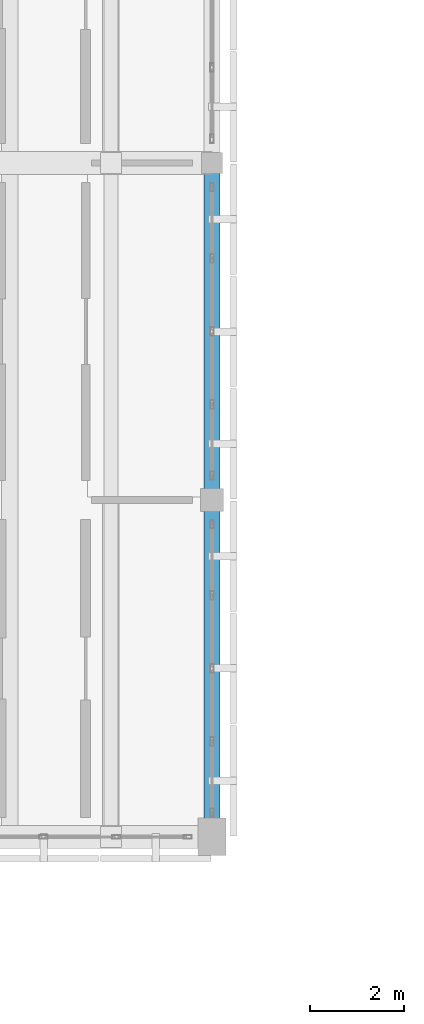
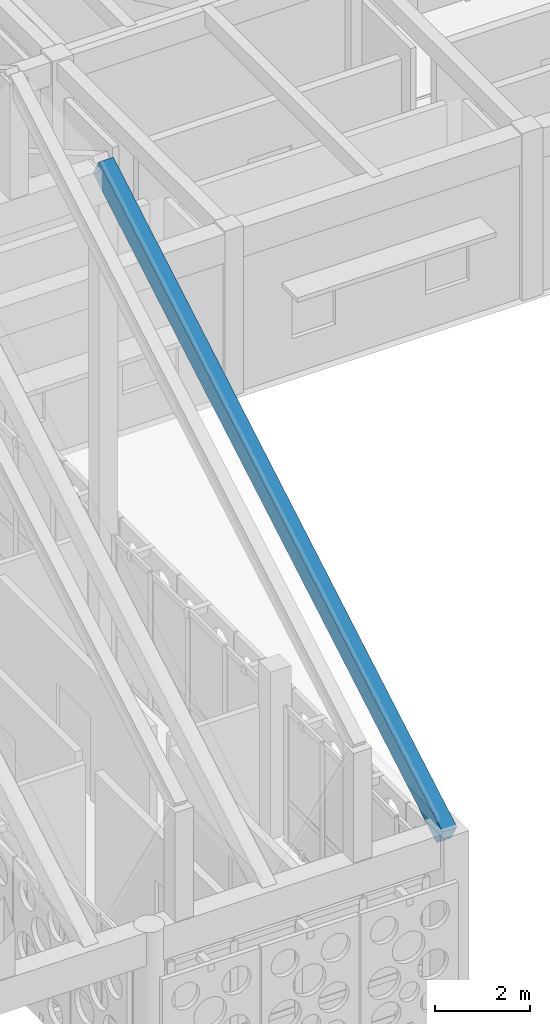
# One storey, part 42 of 171: 1 beam.
"""IFC4 building model written with IfcOpenShell, lengths in metres."""

from ifc_helpers import new_model, si_unit, direction, frame, origin, origin_2d, place, context, subcontext, project, spatial, rectangle, extrude, material, material_profile, profile_set, type_object, element, save


model = new_model("IFC4")

# Units and contexts
model_context = context("Model", 3, precision=1e-05, world=origin(), true_north=direction((0.0, 1.0)))
body_context = subcontext(model_context, "Body", "Model", "MODEL_VIEW")
ifc_project = project(units=[si_unit("LENGTHUNIT", "METRE"), si_unit("AREAUNIT", "SQUARE_METRE"), si_unit("VOLUMEUNIT", "CUBIC_METRE"), si_unit("PLANEANGLEUNIT", "RADIAN"), si_unit("MASSUNIT", "GRAM", prefix="KILO")], contexts=[model_context])

# Site, building, storey
site_placement = place(None, origin())
site = spatial("IfcSite", under=ifc_project, at=site_placement, CompositionType="ELEMENT")
building_placement = place(site_placement, origin())
building = spatial("IfcBuilding", under=site, at=building_placement, Name="Aldebral Square Health Centre", CompositionType="ELEMENT")
storey_placement = place(building_placement, frame((0.0, 0.0, 4.5)))
storey = spatial("IfcBuildingStorey", under=building, at=storey_placement, Name="L01", CompositionType="ELEMENT", Elevation=4.5)

# Beam
ifc_material = material(Name="Concrete C40/50", Category="concrete")
ifc_material_profile = material_profile(ifc_material, rectangle(XDim=0.35009765625, YDim=0.5, at=origin_2d()), Name="RC 350x500")
ifc_profile_set = profile_set([ifc_material_profile], Name="Concrete C40/50")
beam_type = type_object("IfcBeamType", Name="BM-SP1", PredefinedType="SPANDREL", material=ifc_profile_set)
beam_placement = place(storey_placement, frame((108.0, 72.0, 4.25), z_axis=(0.0, 0.863779963214, 0.503869204407), x_axis=(-1.0, 0.0, 0.0)))
element("IfcBeam", 1, at=beam_placement, inside=storey, type_object=beam_type, Name="Folded-plate south valley beam 11", PredefinedType="SPANDREL", context=body_context, shape_type="SweptSolid", body=[
    extrude(rectangle(XDim=0.35009765625, YDim=0.5, at=origin_2d()), origin(), (0.0, 0.0, 1.0), 16.6708984375),
])

save(model, "model.ifc")
